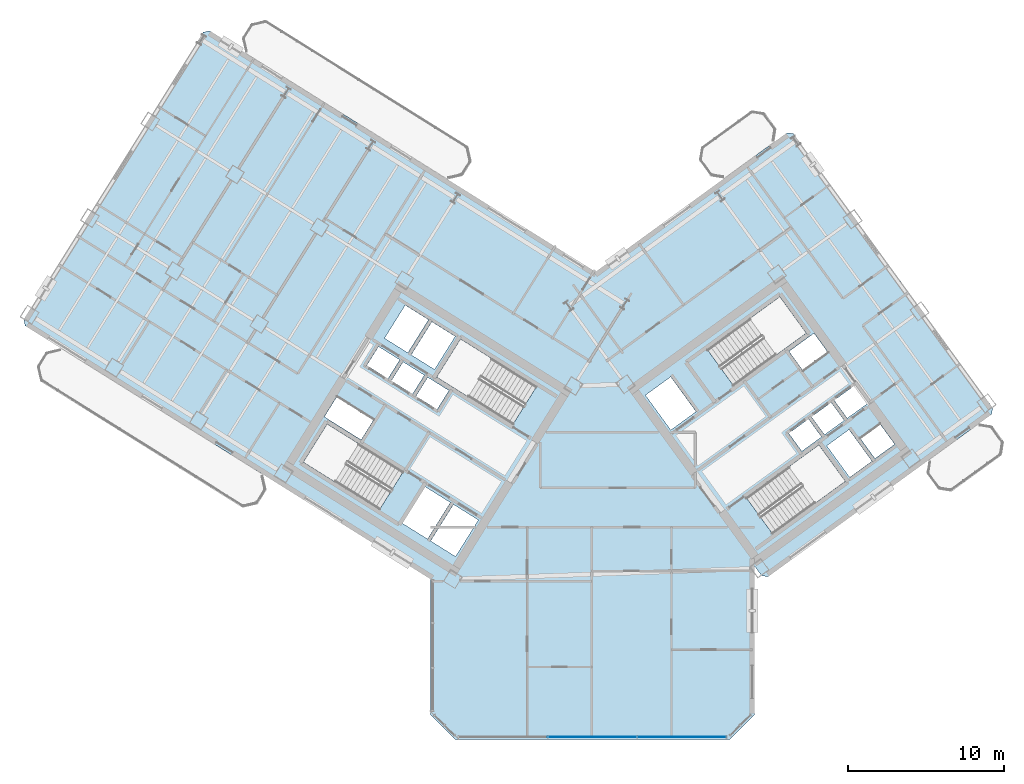
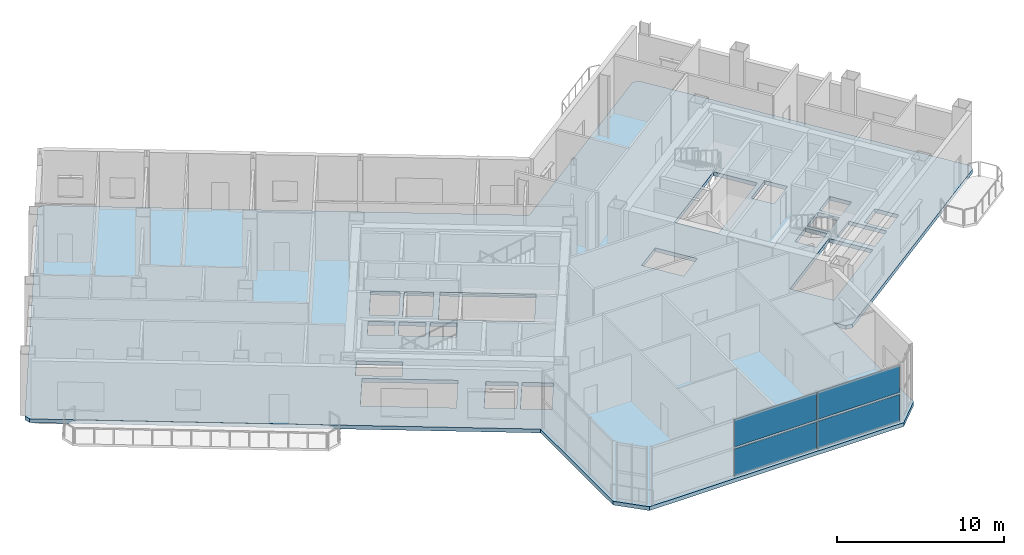
# One storey, part 9 of 21: 4 plates, 1 slab, 1 element without a shape of its own.
"""IFC4 building model written with IfcOpenShell, lengths in metres."""

from ifc_helpers import new_model, si_unit, direction, frame, origin, origin_2d, place, context, subcontext, project, spatial, polyline, rectangle, outline, extrude, source, transform, mapped, material, layer, layer_set, type_object, element, aggregate, save


model = new_model("IFC4")

# Units and contexts
model_context = context("Model", 3, precision=1e-05, world=origin(), true_north=direction((0.0, 1.0)))
body_context = subcontext(model_context, "Body", "Model", "MODEL_VIEW")
ifc_project = project(units=[si_unit("LENGTHUNIT", "METRE"), si_unit("AREAUNIT", "SQUARE_METRE"), si_unit("VOLUMEUNIT", "CUBIC_METRE"), si_unit("PLANEANGLEUNIT", "RADIAN"), si_unit("MASSUNIT", "GRAM", prefix="KILO")], contexts=[model_context])

# Site, building, storey
site_placement = place(None, origin())
site = spatial("IfcSite", under=ifc_project, at=site_placement, CompositionType="ELEMENT")
building_placement = place(site_placement, origin())
building = spatial("IfcBuilding", under=site, at=building_placement, Name="Tlacorven Tower", CompositionType="ELEMENT")
storey_placement = place(building_placement, frame((0.0, 0.0, 100.800048828125)))
storey = spatial("IfcBuildingStorey", under=building, at=storey_placement, Name="L25", CompositionType="ELEMENT", Elevation=100.800048828125)

# Slab
ifc_material_1 = material(Name="Concrete C50/60", Category="concrete")
ifc_layer_1 = layer(ifc_material_1, 0.280029296875)
ifc_layer_set_1 = layer_set([ifc_layer_1], Name="Concrete C50/60")
slab_type = type_object("IfcSlabType", Name="SL-WND-280", PredefinedType="FLOOR", material=ifc_layer_set_1)
slab_placement = place(storey_placement, frame((0.0, 0.0, -0.280029296875)))
element("IfcSlab", 1, at=slab_placement, inside=storey, type_object=slab_type, Name="L25 Boomerang Tower Floor Slab", PredefinedType="FLOOR", context=body_context, shape_type="SweptSolid", body=[
    extrude(outline(polyline([(52.39990234375, 3.39990234375), (50.800048828125, 1.800048828125), (33.199951171875, 1.800048828125), (31.60009765625, 3.39990234375), (31.60009765625, 12.09423828125), (5.62451171875, 28.32568359375), (5.529052734375, 28.739013671875), (17.0390625, 47.15869140625), (17.452392578125, 47.254150390625), (42.19970703125, 31.790283203125), (54.481689453125, 40.713623046875), (54.90087890625, 40.647216796875), (67.66748046875, 23.075439453125), (67.60107421875, 22.656494140625), (53.265380859375, 12.24072265625), (52.846435546875, 12.30712890625), (52.39990234375, 12.921630859375), (52.39990234375, 3.39990234375)]), holes=[polyline([(29.865478515625, 18.979736328125), (24.9892578125, 22.02685546875), (23.463134765625, 19.58447265625), (28.33935546875, 16.537353515625), (29.865478515625, 18.979736328125)]), polyline([(38.4169921875, 24.4375), (33.540771484375, 27.484375), (32.0146484375, 25.0419921875), (36.890869140625, 21.9951171875), (38.4169921875, 24.4375)]), polyline([(51.05908203125, 24.481689453125), (55.7109375, 27.861572265625), (54.01806640625, 30.19140625), (49.3662109375, 26.811767578125), (51.05908203125, 24.481689453125)]), polyline([(53.56298828125, 14.978759765625), (58.21484375, 18.3583984375), (56.52197265625, 20.6884765625), (51.8701171875, 17.30859375), (53.56298828125, 14.978759765625)]), polyline([(34.682373046875, 15.87548828125), (33.088134765625, 16.871826171875), (31.62548828125, 14.531005859375), (33.2197265625, 13.534912109375), (34.682373046875, 15.87548828125)]), polyline([(32.884521484375, 16.9990234375), (31.2392578125, 18.02685546875), (29.77685546875, 15.686279296875), (31.421875, 14.658203125), (32.884521484375, 16.9990234375)]), polyline([(47.0234375, 21.648681640625), (48.6416015625, 22.82421875), (47.019287109375, 25.05712890625), (45.401123046875, 23.881591796875), (47.0234375, 21.648681640625)]), polyline([(33.197265625, 27.65185546875), (31.704833984375, 28.58447265625), (30.3798828125, 26.46435546875), (31.87255859375, 25.53173828125), (33.197265625, 27.65185546875)]), polyline([(31.484375, 28.722412109375), (29.99169921875, 29.655029296875), (28.6669921875, 27.534912109375), (30.159423828125, 26.602294921875), (31.484375, 28.722412109375)]), polyline([(32.794921875, 24.17724609375), (31.43798828125, 25.025146484375), (30.685546875, 23.82080078125), (32.042236328125, 22.972900390625), (32.794921875, 24.17724609375)]), polyline([(31.217529296875, 25.162841796875), (29.860595703125, 26.0107421875), (29.108154296875, 24.806396484375), (30.465087890625, 23.958740234375), (31.217529296875, 25.162841796875)]), polyline([(29.64013671875, 26.1484375), (28.283203125, 26.996337890625), (27.53076171875, 25.792236328125), (28.8876953125, 24.9443359375), (29.64013671875, 26.1484375)]), polyline([(55.427734375, 20.288818359375), (56.68994140625, 21.205810546875), (55.855224609375, 22.354736328125), (54.59326171875, 21.437744140625), (55.427734375, 20.288818359375)]), polyline([(56.884033203125, 21.346923828125), (58.146240234375, 22.263916015625), (57.3115234375, 23.41259765625), (56.04931640625, 22.495849609375), (56.884033203125, 21.346923828125)]), polyline([(58.34033203125, 22.405029296875), (59.602294921875, 23.322021484375), (58.767578125, 24.470703125), (57.505615234375, 23.5537109375), (58.34033203125, 22.405029296875)]), polyline([(58.498779296875, 18.614013671875), (59.922607421875, 19.648681640625), (58.453125, 21.671142578125), (57.029296875, 20.63671875), (58.498779296875, 18.614013671875)]), polyline([(27.96142578125, 22.2919921875), (25.603759765625, 23.76513671875), (24.80908203125, 22.4931640625), (27.16650390625, 21.02001953125), (27.96142578125, 22.2919921875)]), polyline([(55.490478515625, 25.4765625), (57.092529296875, 26.640380859375), (56.210693359375, 27.85400390625), (54.60888671875, 26.690185546875), (55.490478515625, 25.4765625)]), polyline([(60.12109375, 19.817626953125), (61.38330078125, 20.734619140625), (60.45458984375, 22.012939453125), (59.192626953125, 21.095947265625), (60.12109375, 19.817626953125)])]), origin(), (0.0, 0.0, 1.0), 0.280029296875),
])

# Curtain wall, plates
ifc_material_2 = material(Name="Dark solar low-E double glazing in aluminium frame", Category="aluminium")
curtain_wall_type = type_object("IfcCurtainWallType", Name="CW-COM-AMENITY", PredefinedType="USERDEFINED", material=ifc_material_2)
curtain_wall_placement = place(storey_placement, origin())
curtain_wall = element("IfcCurtainWall", 2, at=curtain_wall_placement, inside=storey, type_object=curtain_wall_type, Name="L25 CW-COM-AMENITY Curtain Wall 128", ObjectType="UNITISED CURTAIN WALL", PredefinedType="USERDEFINED")
ifc_material_3 = material(Name="Dark solar acoustic laminated low-E glazing", Category="glass")
ifc_layer_2 = layer(ifc_material_3, 0.035888671875)
ifc_layer_set_2 = layer_set([ifc_layer_2], Name="Dark solar acoustic laminated low-E glazing")
plate_type = type_object("IfcPlateType", Name="CWP-01", PredefinedType="CURTAIN_PANEL", material=ifc_layer_set_2)
shared_shape_1 = source(origin(), body_context, "Body", "SweptSolid", [
    extrude(rectangle(XDim=5.668701171875, YDim=0.035888671875, at=origin_2d()), origin(), (0.0, 0.0, 1.0), 1.98291015625),
])
plate_1_placement = place(storey_placement, frame((47.73828125, 1.9599609375, 0.071044921875), z_axis=(0.0, 0.0, 1.0), x_axis=(-1.0, 0.0, 0.0)))
plate_1 = element("IfcPlate", 3, at=plate_1_placement, type_object=plate_type, Name="CW-L25-128 Glazing Panel 1", PredefinedType="CURTAIN_PANEL", context=body_context, shape_type="MappedRepresentation", body=[
    mapped(shared_shape_1, transform((0.0, 0.0, 0.0), scale=1.0)),
])
plate_2_placement = place(storey_placement, frame((47.73828125, 1.9599609375, 2.196044921875), z_axis=(0.0, 0.0, 1.0), x_axis=(-1.0, 0.0, 0.0)))
plate_2 = element("IfcPlate", 4, at=plate_2_placement, type_object=plate_type, Name="CW-L25-128 Glazing Panel 2", PredefinedType="CURTAIN_PANEL", context=body_context, shape_type="MappedRepresentation", body=[
    mapped(shared_shape_1, transform((0.0, 0.0, 0.0), scale=1.0)),
])
shared_shape_2 = source(origin(), body_context, "Body", "SweptSolid", [
    extrude(rectangle(XDim=5.703857421875, YDim=0.035888671875, at=origin_2d()), origin(), (0.0, 0.0, 1.0), 1.98291015625),
])
plate_3_placement = place(storey_placement, frame((42.0, 1.9599609375, 0.071044921875), z_axis=(0.0, 0.0, 1.0), x_axis=(-1.0, 0.0, 0.0)))
plate_3 = element("IfcPlate", 5, at=plate_3_placement, type_object=plate_type, Name="CW-L25-128 Glazing Panel 3", PredefinedType="CURTAIN_PANEL", context=body_context, shape_type="MappedRepresentation", body=[
    mapped(shared_shape_2, transform((0.0, 0.0, 0.0), scale=1.0)),
])
plate_4_placement = place(storey_placement, frame((42.0, 1.9599609375, 2.196044921875), z_axis=(0.0, 0.0, 1.0), x_axis=(-1.0, 0.0, 0.0)))
plate_4 = element("IfcPlate", 6, at=plate_4_placement, type_object=plate_type, Name="CW-L25-128 Glazing Panel 4", PredefinedType="CURTAIN_PANEL", context=body_context, shape_type="MappedRepresentation", body=[
    mapped(shared_shape_2, transform((0.0, 0.0, 0.0), scale=1.0)),
])
aggregate(curtain_wall, [plate_1, plate_2, plate_3, plate_4])

save(model, "model.ifc")
